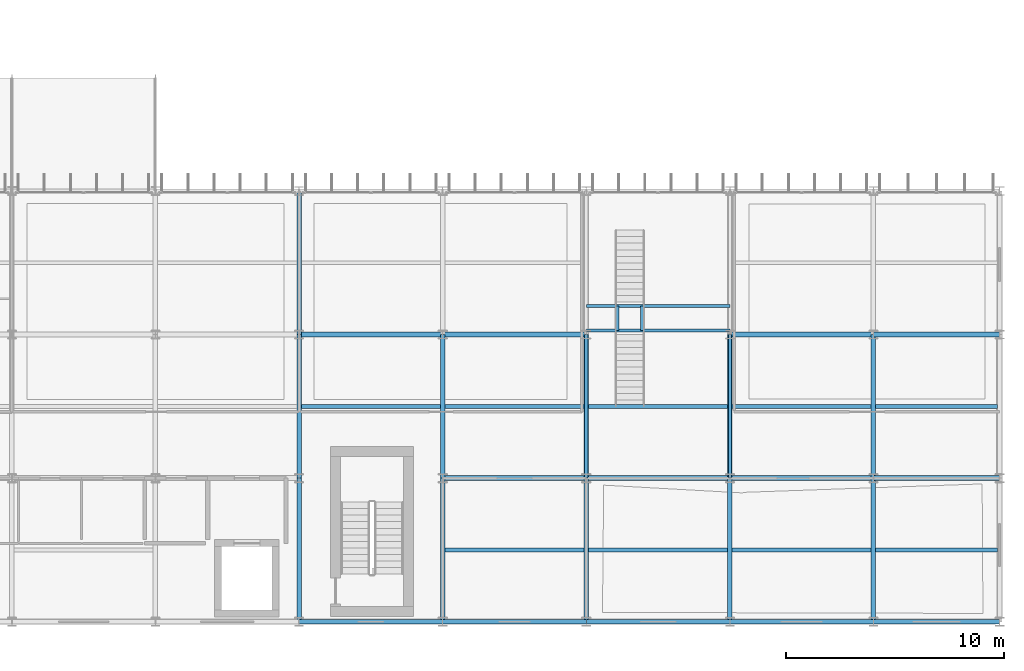
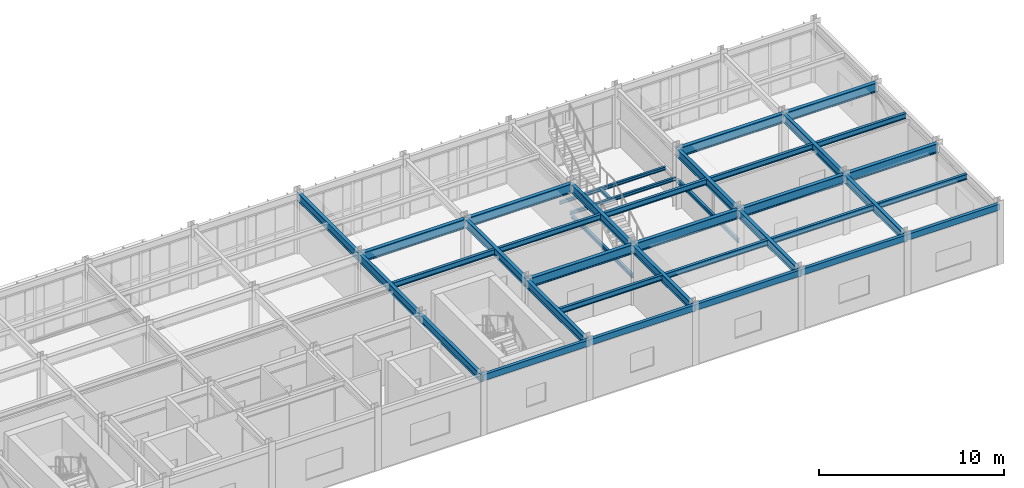
# One storey, part 90 of 148: 39 beams.
"""IFC4 building model written with IfcOpenShell, lengths in metres."""

from ifc_helpers import new_model, si_unit, direction, frame, origin, origin_2d, place, context, subcontext, project, spatial, hollow_rectangle, i_section, extrude, material, material_profile, profile_set, type_object, element, save


model = new_model("IFC4")

# Units and contexts
model_context = context("Model", 3, precision=1e-05, world=origin(), true_north=direction((0.0, 1.0)))
body_context = subcontext(model_context, "Body", "Model", "MODEL_VIEW")
ifc_project = project(units=[si_unit("LENGTHUNIT", "METRE"), si_unit("AREAUNIT", "SQUARE_METRE"), si_unit("VOLUMEUNIT", "CUBIC_METRE"), si_unit("PLANEANGLEUNIT", "RADIAN"), si_unit("MASSUNIT", "GRAM", prefix="KILO")], contexts=[model_context])

# Site, building, storey
site_placement = place(None, origin())
site = spatial("IfcSite", under=ifc_project, at=site_placement, CompositionType="ELEMENT")
building_placement = place(site_placement, origin())
building = spatial("IfcBuilding", under=site, at=building_placement, Name="Karori Crest Natural Sciences Institute", CompositionType="ELEMENT")
storey_placement = place(building_placement, frame((0.0, 0.0, 4.89990234375)))
storey = spatial("IfcBuildingStorey", under=building, at=storey_placement, Name="L01", CompositionType="ELEMENT", Elevation=4.89990234375)

# Beams
ifc_material_1 = material(Name="Structural steel AS/NZS 3679.1 Grade 350", Category="steel")
ifc_material_profile_1 = material_profile(ifc_material_1, i_section(OverallWidth=0.22900390625, OverallDepth=0.612060546875, WebThickness=0.011962890625, FlangeThickness=0.01953125, FilletRadius=0.013916015625, at=origin_2d()), Name="610UB125")
ifc_profile_set_1 = profile_set([ifc_material_profile_1], Name="Structural steel AS/NZS 3679.1 Grade 350")
beam_type_1 = type_object("IfcBeamType", Name="BT-04", PredefinedType="BEAM", material=ifc_profile_set_1)
beam_1_placement = place(storey_placement, frame((136.60009765625, 7.39990234375, 3.614013671875), z_axis=(1.0, 0.0, 0.0), x_axis=(0.0, 1.0, 0.0)))
element("IfcBeam", 1, at=beam_1_placement, inside=storey, type_object=beam_type_1, Name="Beam B-2121", PredefinedType="BEAM", context=body_context, shape_type="SweptSolid", body=[
    extrude(i_section(OverallWidth=0.22900390625, OverallDepth=0.612060546875, WebThickness=0.011962890625, FlangeThickness=0.01953125, FilletRadius=0.013916015625, at=origin_2d()), origin(), (0.0, 0.0, 1.0), 6.599853515625),
])
beam_2_placement = place(storey_placement, frame((143.199951171875, 7.39990234375, 3.614013671875), z_axis=(1.0, 0.0, 0.0), x_axis=(0.0, 1.0, 0.0)))
element("IfcBeam", 2, at=beam_2_placement, inside=storey, type_object=beam_type_1, Name="Beam B-2122", PredefinedType="BEAM", context=body_context, shape_type="SweptSolid", body=[
    extrude(i_section(OverallWidth=0.22900390625, OverallDepth=0.612060546875, WebThickness=0.011962890625, FlangeThickness=0.01953125, FilletRadius=0.013916015625, at=origin_2d()), origin(), (0.0, 0.0, 1.0), 6.60009765625),
])
beam_3_placement = place(storey_placement, frame((149.800048828125, 7.39990234375, 3.614013671875), z_axis=(1.0, 0.0, 0.0), x_axis=(0.0, 1.0, 0.0)))
element("IfcBeam", 3, at=beam_3_placement, inside=storey, type_object=beam_type_1, Name="Beam B-2123", PredefinedType="BEAM", context=body_context, shape_type="SweptSolid", body=[
    extrude(i_section(OverallWidth=0.22900390625, OverallDepth=0.612060546875, WebThickness=0.011962890625, FlangeThickness=0.01953125, FilletRadius=0.013916015625, at=origin_2d()), origin(), (0.0, 0.0, 1.0), 6.599853515625),
])
beam_4_placement = place(storey_placement, frame((156.39990234375, 7.39990234375, 3.614013671875), z_axis=(1.0, 0.0, 0.0), x_axis=(0.0, 1.0, 0.0)))
element("IfcBeam", 4, at=beam_4_placement, inside=storey, type_object=beam_type_1, Name="Beam B-2124", PredefinedType="BEAM", context=body_context, shape_type="SweptSolid", body=[
    extrude(i_section(OverallWidth=0.22900390625, OverallDepth=0.612060546875, WebThickness=0.011962890625, FlangeThickness=0.01953125, FilletRadius=0.013916015625, at=origin_2d()), origin(), (0.0, 0.0, 1.0), 5.800048828125),
])
beam_5_placement = place(storey_placement, frame((130.0, 14.0, 3.614013671875), z_axis=(1.0, 0.0, 0.0), x_axis=(0.0, 1.0, 0.0)))
element("IfcBeam", 5, at=beam_5_placement, inside=storey, type_object=beam_type_1, Name="Beam B-2129", PredefinedType="BEAM", context=body_context, shape_type="SweptSolid", body=[
    extrude(i_section(OverallWidth=0.22900390625, OverallDepth=0.612060546875, WebThickness=0.011962890625, FlangeThickness=0.01953125, FilletRadius=0.013916015625, at=origin_2d()), origin(), (0.0, 0.0, 1.0), 6.60009765625),
])
for number, where, z_axis, x_axis, name in (
    (6, (136.60009765625, 14.0, 3.614013671875), (1.0, 0.0, 0.0), (0.0, 1.0, 0.0), "Beam B-2130"),
    (7, (149.800048828125, 14.0, 3.614013671875), (1.0, 0.0, 0.0), (0.0, 1.0, 0.0), "Beam B-2131"),
):
    element("IfcBeam", number, at=place(storey_placement, frame(where, z_axis=z_axis, x_axis=x_axis)), inside=storey, type_object=beam_type_1, Name=name, PredefinedType="BEAM", context=body_context, shape_type="SweptSolid", body=[
        extrude(i_section(OverallWidth=0.22900390625, OverallDepth=0.612060546875, WebThickness=0.011962890625, FlangeThickness=0.01953125, FilletRadius=0.013916015625, at=origin_2d()), origin(), (0.0, 0.0, 1.0), 6.599853515625),
    ])
beam_6_placement = place(storey_placement, frame((156.39990234375, 14.0, 3.614013671875), z_axis=(1.0, 0.0, 0.0), x_axis=(0.0, 1.0, 0.0)))
element("IfcBeam", 8, at=beam_6_placement, inside=storey, type_object=beam_type_1, Name="Beam B-2132", PredefinedType="BEAM", context=body_context, shape_type="SweptSolid", body=[
    extrude(i_section(OverallWidth=0.22900390625, OverallDepth=0.612060546875, WebThickness=0.011962890625, FlangeThickness=0.01953125, FilletRadius=0.013916015625, at=origin_2d()), origin(), (0.0, 0.0, 1.0), 5.800048828125),
])
ifc_material_profile_2 = material_profile(ifc_material_1, i_section(OverallWidth=0.208984375, OverallDepth=0.532958984375, WebThickness=0.01025390625, FlangeThickness=0.015625, FilletRadius=0.013916015625, at=origin_2d()), Name="530UB92.4")
ifc_profile_set_2 = profile_set([ifc_material_profile_2], Name="Structural steel AS/NZS 3679.1 Grade 350")
beam_type_2 = type_object("IfcBeamType", Name="BT-05", PredefinedType="BEAM", material=ifc_profile_set_2)
beam_7_placement = place(storey_placement, frame((130.0, 0.800048828125, 3.653564453125), z_axis=(0.0, 1.0, 0.0), x_axis=(-1.0, 0.0, 0.0)))
element("IfcBeam", 9, at=beam_7_placement, inside=storey, type_object=beam_type_2, Name="Beam B-2154", PredefinedType="BEAM", context=body_context, shape_type="SweptSolid", body=[
    extrude(i_section(OverallWidth=0.208984375, OverallDepth=0.532958984375, WebThickness=0.01025390625, FlangeThickness=0.015625, FilletRadius=0.013916015625, at=origin_2d()), origin(), (0.0, 0.0, 1.0), 6.599853515625),
])
for number, where, z_axis, x_axis, name in (
    (10, (130.0, 7.39990234375, 3.653564453125), (0.0, 1.0, 0.0), (-1.0, 0.0, 0.0), "Beam B-2155"),
    (11, (130.0, 14.0, 3.653564453125), (0.0, 1.0, 0.0), (-1.0, 0.0, 0.0), "Beam B-2156"),
):
    element("IfcBeam", number, at=place(storey_placement, frame(where, z_axis=z_axis, x_axis=x_axis)), inside=storey, type_object=beam_type_2, Name=name, PredefinedType="BEAM", context=body_context, shape_type="SweptSolid", body=[
        extrude(i_section(OverallWidth=0.208984375, OverallDepth=0.532958984375, WebThickness=0.01025390625, FlangeThickness=0.015625, FilletRadius=0.013916015625, at=origin_2d()), origin(), (0.0, 0.0, 1.0), 6.60009765625),
    ])
beam_8_placement = place(storey_placement, frame((136.60009765625, 0.800048828125, 3.653564453125), z_axis=(0.0, 1.0, 0.0), x_axis=(-1.0, 0.0, 0.0)))
element("IfcBeam", 12, at=beam_8_placement, inside=storey, type_object=beam_type_2, Name="Beam B-2157", PredefinedType="BEAM", context=body_context, shape_type="SweptSolid", body=[
    extrude(i_section(OverallWidth=0.208984375, OverallDepth=0.532958984375, WebThickness=0.01025390625, FlangeThickness=0.015625, FilletRadius=0.013916015625, at=origin_2d()), origin(), (0.0, 0.0, 1.0), 6.599853515625),
])
beam_9_placement = place(storey_placement, frame((136.60009765625, 7.39990234375, 3.653564453125), z_axis=(0.0, 1.0, 0.0), x_axis=(-1.0, 0.0, 0.0)))
element("IfcBeam", 13, at=beam_9_placement, inside=storey, type_object=beam_type_2, Name="Beam B-2158", PredefinedType="BEAM", context=body_context, shape_type="SweptSolid", body=[
    extrude(i_section(OverallWidth=0.208984375, OverallDepth=0.532958984375, WebThickness=0.01025390625, FlangeThickness=0.015625, FilletRadius=0.013916015625, at=origin_2d()), origin(), (0.0, 0.0, 1.0), 6.60009765625),
])
beam_10_placement = place(storey_placement, frame((143.199951171875, 0.800048828125, 3.653564453125), z_axis=(0.0, 1.0, 0.0), x_axis=(-1.0, 0.0, 0.0)))
element("IfcBeam", 14, at=beam_10_placement, inside=storey, type_object=beam_type_2, Name="Beam B-2160", PredefinedType="BEAM", context=body_context, shape_type="SweptSolid", body=[
    extrude(i_section(OverallWidth=0.208984375, OverallDepth=0.532958984375, WebThickness=0.01025390625, FlangeThickness=0.015625, FilletRadius=0.013916015625, at=origin_2d()), origin(), (0.0, 0.0, 1.0), 6.599853515625),
])
beam_11_placement = place(storey_placement, frame((143.199951171875, 7.39990234375, 3.653564453125), z_axis=(0.0, 1.0, 0.0), x_axis=(-1.0, 0.0, 0.0)))
element("IfcBeam", 15, at=beam_11_placement, inside=storey, type_object=beam_type_2, Name="Beam B-2161", PredefinedType="BEAM", context=body_context, shape_type="SweptSolid", body=[
    extrude(i_section(OverallWidth=0.208984375, OverallDepth=0.532958984375, WebThickness=0.01025390625, FlangeThickness=0.015625, FilletRadius=0.013916015625, at=origin_2d()), origin(), (0.0, 0.0, 1.0), 6.60009765625),
])
beam_12_placement = place(storey_placement, frame((149.800048828125, 0.800048828125, 3.653564453125), z_axis=(0.0, 1.0, 0.0), x_axis=(-1.0, 0.0, 0.0)))
element("IfcBeam", 16, at=beam_12_placement, inside=storey, type_object=beam_type_2, Name="Beam B-2163", PredefinedType="BEAM", context=body_context, shape_type="SweptSolid", body=[
    extrude(i_section(OverallWidth=0.208984375, OverallDepth=0.532958984375, WebThickness=0.01025390625, FlangeThickness=0.015625, FilletRadius=0.013916015625, at=origin_2d()), origin(), (0.0, 0.0, 1.0), 6.599853515625),
])
beam_13_placement = place(storey_placement, frame((149.800048828125, 7.39990234375, 3.653564453125), z_axis=(0.0, 1.0, 0.0), x_axis=(-1.0, 0.0, 0.0)))
element("IfcBeam", 17, at=beam_13_placement, inside=storey, type_object=beam_type_2, Name="Beam B-2164", PredefinedType="BEAM", context=body_context, shape_type="SweptSolid", body=[
    extrude(i_section(OverallWidth=0.208984375, OverallDepth=0.532958984375, WebThickness=0.01025390625, FlangeThickness=0.015625, FilletRadius=0.013916015625, at=origin_2d()), origin(), (0.0, 0.0, 1.0), 6.60009765625),
])
beam_14_placement = place(storey_placement, frame((156.39990234375, 0.800048828125, 3.653564453125), z_axis=(0.0, 1.0, 0.0), x_axis=(-1.0, 0.0, 0.0)))
element("IfcBeam", 18, at=beam_14_placement, inside=storey, type_object=beam_type_2, Name="Beam B-2166", PredefinedType="BEAM", context=body_context, shape_type="SweptSolid", body=[
    extrude(i_section(OverallWidth=0.208984375, OverallDepth=0.532958984375, WebThickness=0.01025390625, FlangeThickness=0.015625, FilletRadius=0.013916015625, at=origin_2d()), origin(), (0.0, 0.0, 1.0), 6.599853515625),
])
beam_15_placement = place(storey_placement, frame((156.39990234375, 7.39990234375, 3.653564453125), z_axis=(0.0, 1.0, 0.0), x_axis=(-1.0, 0.0, 0.0)))
element("IfcBeam", 19, at=beam_15_placement, inside=storey, type_object=beam_type_2, Name="Beam B-2167", PredefinedType="BEAM", context=body_context, shape_type="SweptSolid", body=[
    extrude(i_section(OverallWidth=0.208984375, OverallDepth=0.532958984375, WebThickness=0.01025390625, FlangeThickness=0.015625, FilletRadius=0.013916015625, at=origin_2d()), origin(), (0.0, 0.0, 1.0), 6.60009765625),
])
ifc_material_profile_3 = material_profile(ifc_material_1, i_section(OverallWidth=0.172119140625, OverallDepth=0.35888671875, WebThickness=0.008056640625, FlangeThickness=0.012939453125, FilletRadius=0.010986328125, at=origin_2d()), Name="360UB56.7")
ifc_profile_set_3 = profile_set([ifc_material_profile_3], Name="Structural steel AS/NZS 3679.1 Grade 350")
beam_type_3 = type_object("IfcBeamType", Name="BT-08", PredefinedType="BEAM", material=ifc_profile_set_3)
beam_16_placement = place(storey_placement, frame((130.1044921875, 10.699951171875, 3.740478515625), z_axis=(1.0, 0.0, 0.0), x_axis=(0.0, 1.0, 0.0)))
element("IfcBeam", 20, at=beam_16_placement, inside=storey, type_object=beam_type_3, Name="Beam B-2182", PredefinedType="BEAM", context=body_context, shape_type="SweptSolid", body=[
    extrude(i_section(OverallWidth=0.172119140625, OverallDepth=0.35888671875, WebThickness=0.008056640625, FlangeThickness=0.012939453125, FilletRadius=0.010986328125, at=origin_2d()), origin(), (0.0, 0.0, 1.0), 6.39111328125),
])
for number, where, z_axis, x_axis, name in (
    (21, (136.70458984375, 4.10009765625, 3.740478515625), (1.0, 0.0, 0.0), (0.0, 1.0, 0.0), "Beam B-2184"),
    (22, (136.70458984375, 10.699951171875, 3.740478515625), (1.0, 0.0, 0.0), (0.0, 1.0, 0.0), "Beam B-2185"),
):
    element("IfcBeam", number, at=place(storey_placement, frame(where, z_axis=z_axis, x_axis=x_axis)), inside=storey, type_object=beam_type_3, Name=name, PredefinedType="BEAM", context=body_context, shape_type="SweptSolid", body=[
        extrude(i_section(OverallWidth=0.172119140625, OverallDepth=0.35888671875, WebThickness=0.008056640625, FlangeThickness=0.012939453125, FilletRadius=0.010986328125, at=origin_2d()), origin(), (0.0, 0.0, 1.0), 6.390869140625),
    ])
for number, where, z_axis, x_axis, name in (
    (23, (143.304443359375, 4.10009765625, 3.740478515625), (1.0, 0.0, 0.0), (0.0, 1.0, 0.0), "Beam B-2187"),
    (24, (143.304443359375, 10.699951171875, 3.740478515625), (1.0, 0.0, 0.0), (0.0, 1.0, 0.0), "Beam B-2188"),
):
    element("IfcBeam", number, at=place(storey_placement, frame(where, z_axis=z_axis, x_axis=x_axis)), inside=storey, type_object=beam_type_3, Name=name, PredefinedType="BEAM", context=body_context, shape_type="SweptSolid", body=[
        extrude(i_section(OverallWidth=0.172119140625, OverallDepth=0.35888671875, WebThickness=0.008056640625, FlangeThickness=0.012939453125, FilletRadius=0.010986328125, at=origin_2d()), origin(), (0.0, 0.0, 1.0), 6.39111328125),
    ])
for number, where, z_axis, x_axis, name in (
    (25, (149.904541015625, 4.10009765625, 3.740478515625), (1.0, 0.0, 0.0), (0.0, 1.0, 0.0), "Beam B-2189"),
    (26, (149.904541015625, 10.699951171875, 3.740478515625), (1.0, 0.0, 0.0), (0.0, 1.0, 0.0), "Beam B-2190"),
):
    element("IfcBeam", number, at=place(storey_placement, frame(where, z_axis=z_axis, x_axis=x_axis)), inside=storey, type_object=beam_type_3, Name=name, PredefinedType="BEAM", context=body_context, shape_type="SweptSolid", body=[
        extrude(i_section(OverallWidth=0.172119140625, OverallDepth=0.35888671875, WebThickness=0.008056640625, FlangeThickness=0.012939453125, FilletRadius=0.010986328125, at=origin_2d()), origin(), (0.0, 0.0, 1.0), 6.390869140625),
    ])
for number, where, z_axis, x_axis, name in (
    (27, (156.50439453125, 4.10009765625, 3.740478515625), (1.0, 0.0, 0.0), (0.0, 1.0, 0.0), "Beam B-2192"),
    (28, (156.50439453125, 10.699951171875, 3.740478515625), (1.0, 0.0, 0.0), (0.0, 1.0, 0.0), "Beam B-2193"),
):
    element("IfcBeam", number, at=place(storey_placement, frame(where, z_axis=z_axis, x_axis=x_axis)), inside=storey, type_object=beam_type_3, Name=name, PredefinedType="BEAM", context=body_context, shape_type="SweptSolid", body=[
        extrude(i_section(OverallWidth=0.172119140625, OverallDepth=0.35888671875, WebThickness=0.008056640625, FlangeThickness=0.012939453125, FilletRadius=0.010986328125, at=origin_2d()), origin(), (0.0, 0.0, 1.0), 5.591064453125),
    ])
ifc_material_profile_4 = material_profile(ifc_material_1, i_section(OverallWidth=0.14599609375, OverallDepth=0.256103515625, WebThickness=0.00634765625, FlangeThickness=0.010986328125, FilletRadius=0.009033203125, at=origin_2d()), Name="250UB37.3")
ifc_profile_set_4 = profile_set([ifc_material_profile_4], Name="Structural steel AS/NZS 3679.1 Grade 350")
beam_type_4 = type_object("IfcBeamType", Name="BT-11-IL", PredefinedType="BEAM", material=ifc_profile_set_4)
for number, where, z_axis, x_axis, name in (
    (29, (143.199951171875, 7.39990234375, 1.76220703125), (0.0, 1.0, 0.0), (-1.0, 0.0, 0.0), "Stair stringer girder ST-14"),
    (30, (149.800048828125, 7.39990234375, 1.76220703125), (0.0, 1.0, 0.0), (-1.0, 0.0, 0.0), "Stair stringer girder ST-14"),
):
    element("IfcBeam", number, at=place(storey_placement, frame(where, z_axis=z_axis, x_axis=x_axis)), inside=storey, type_object=beam_type_4, Name=name, PredefinedType="BEAM", context=body_context, shape_type="SweptSolid", body=[
        extrude(i_section(OverallWidth=0.14599609375, OverallDepth=0.256103515625, WebThickness=0.00634765625, FlangeThickness=0.010986328125, FilletRadius=0.009033203125, at=origin_2d()), origin(), (0.0, 0.0, 1.0), 6.60009765625),
    ])
ifc_material_profile_5 = material_profile(ifc_material_1, i_section(OverallWidth=0.134033203125, OverallDepth=0.20703125, WebThickness=0.00634765625, FlangeThickness=0.009521484375, FilletRadius=0.009033203125, at=origin_2d()), Name="200UB29.8")
ifc_profile_set_5 = profile_set([ifc_material_profile_5], Name="Structural steel AS/NZS 3679.1 Grade 350")
beam_type_5 = type_object("IfcBeamType", Name="BT-13-IL", PredefinedType="BEAM", material=ifc_profile_set_5)
for number, where, z_axis, x_axis, name in (
    (31, (143.199951171875, 14.179931640625, 1.7861328125), (1.0, 0.0, 0.0), (0.0, 1.0, 0.0), "Stair landing trimmer ST-14"),
    (32, (143.199951171875, 15.320068359375, 1.7861328125), (1.0, 0.0, 0.0), (0.0, 1.0, 0.0), "Stair landing trimmer ST-14"),
):
    element("IfcBeam", number, at=place(storey_placement, frame(where, z_axis=z_axis, x_axis=x_axis)), inside=storey, type_object=beam_type_5, Name=name, PredefinedType="BEAM", context=body_context, shape_type="SweptSolid", body=[
        extrude(i_section(OverallWidth=0.134033203125, OverallDepth=0.20703125, WebThickness=0.00634765625, FlangeThickness=0.009521484375, FilletRadius=0.009033203125, at=origin_2d()), origin(), (0.0, 0.0, 1.0), 6.60009765625),
    ])
for number, where, z_axis, x_axis, name in (
    (33, (144.64501953125, 14.179931640625, 1.7861328125), (0.0, 1.0, 0.0), (-1.0, 0.0, 0.0), "Stair landing joist ST-14"),
    (34, (145.7548828125, 14.179931640625, 1.7861328125), (0.0, 1.0, 0.0), (-1.0, 0.0, 0.0), "Stair landing joist ST-14"),
):
    element("IfcBeam", number, at=place(storey_placement, frame(where, z_axis=z_axis, x_axis=x_axis)), inside=storey, type_object=beam_type_5, Name=name, PredefinedType="BEAM", context=body_context, shape_type="SweptSolid", body=[
        extrude(i_section(OverallWidth=0.134033203125, OverallDepth=0.20703125, WebThickness=0.00634765625, FlangeThickness=0.009521484375, FilletRadius=0.009033203125, at=origin_2d()), origin(), (0.0, 0.0, 1.0), 1.14013671875),
    ])
ifc_material_2 = material(Name="Hollow structural steel AS/NZS 1163 Grade C350", Category="steel")
ifc_material_profile_6 = material_profile(ifc_material_2, hollow_rectangle(XDim=0.199951171875, YDim=0.39990234375, WallThickness=0.012451171875, at=origin_2d()), Name="RHS400x200x12.5")
ifc_profile_set_6 = profile_set([ifc_material_profile_6], Name="Hollow structural steel AS/NZS 1163 Grade C350")
beam_type_6 = type_object("IfcBeamType", Name="BT-14", PredefinedType="SPANDREL", material=ifc_profile_set_6)
beam_17_placement = place(storey_placement, frame((130.0, 0.800048828125, 3.72021484375), z_axis=(1.0, 0.0, 0.0), x_axis=(0.0, 1.0, 0.0)))
element("IfcBeam", 35, at=beam_17_placement, inside=storey, type_object=beam_type_6, Name="Beam B-2113", PredefinedType="SPANDREL", context=body_context, shape_type="SweptSolid", body=[
    extrude(hollow_rectangle(XDim=0.199951171875, YDim=0.39990234375, WallThickness=0.012451171875, at=origin_2d()), origin(), (0.0, 0.0, 1.0), 6.60009765625),
])
beam_18_placement = place(storey_placement, frame((136.60009765625, 0.800048828125, 3.72021484375), z_axis=(1.0, 0.0, 0.0), x_axis=(0.0, 1.0, 0.0)))
element("IfcBeam", 36, at=beam_18_placement, inside=storey, type_object=beam_type_6, Name="Beam B-2114", PredefinedType="SPANDREL", context=body_context, shape_type="SweptSolid", body=[
    extrude(hollow_rectangle(XDim=0.199951171875, YDim=0.39990234375, WallThickness=0.012451171875, at=origin_2d()), origin(), (0.0, 0.0, 1.0), 6.599853515625),
])
beam_19_placement = place(storey_placement, frame((143.199951171875, 0.800048828125, 3.72021484375), z_axis=(1.0, 0.0, 0.0), x_axis=(0.0, 1.0, 0.0)))
element("IfcBeam", 37, at=beam_19_placement, inside=storey, type_object=beam_type_6, Name="Beam B-2115", PredefinedType="SPANDREL", context=body_context, shape_type="SweptSolid", body=[
    extrude(hollow_rectangle(XDim=0.199951171875, YDim=0.39990234375, WallThickness=0.012451171875, at=origin_2d()), origin(), (0.0, 0.0, 1.0), 6.60009765625),
])
beam_20_placement = place(storey_placement, frame((149.800048828125, 0.800048828125, 3.72021484375), z_axis=(1.0, 0.0, 0.0), x_axis=(0.0, 1.0, 0.0)))
element("IfcBeam", 38, at=beam_20_placement, inside=storey, type_object=beam_type_6, Name="Beam B-2116", PredefinedType="SPANDREL", context=body_context, shape_type="SweptSolid", body=[
    extrude(hollow_rectangle(XDim=0.199951171875, YDim=0.39990234375, WallThickness=0.012451171875, at=origin_2d()), origin(), (0.0, 0.0, 1.0), 6.599853515625),
])
beam_21_placement = place(storey_placement, frame((156.39990234375, 0.800048828125, 3.72021484375), z_axis=(1.0, 0.0, 0.0), x_axis=(0.0, 1.0, 0.0)))
element("IfcBeam", 39, at=beam_21_placement, inside=storey, type_object=beam_type_6, Name="Beam B-2117", PredefinedType="SPANDREL", context=body_context, shape_type="SweptSolid", body=[
    extrude(hollow_rectangle(XDim=0.199951171875, YDim=0.39990234375, WallThickness=0.012451171875, at=origin_2d()), origin(), (0.0, 0.0, 1.0), 5.800048828125),
])

save(model, "model.ifc")
